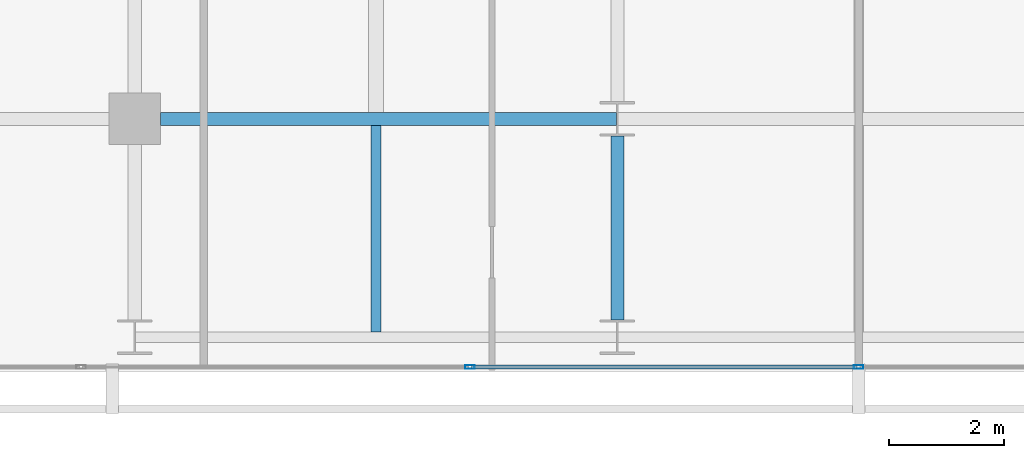
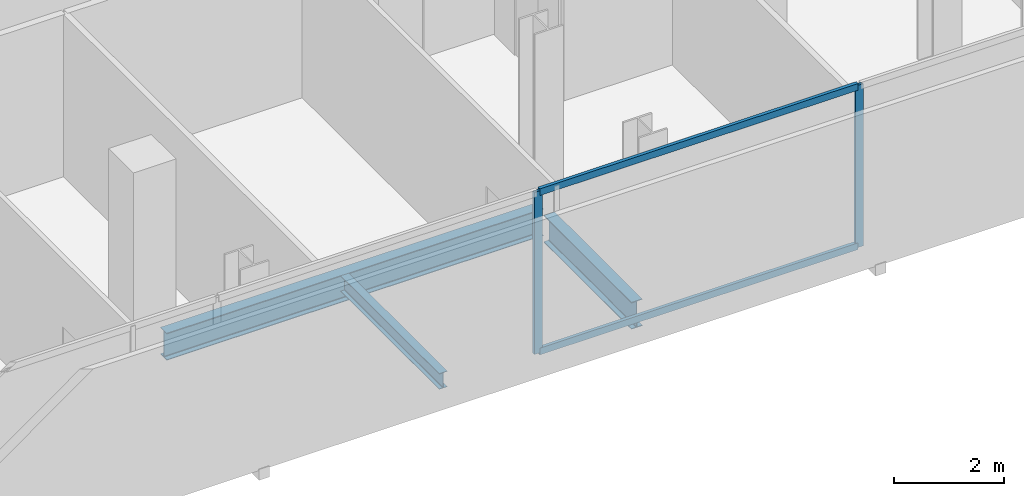
# One storey, part 6 of 34: 4 members, 3 beams, 1 element without a shape of its own.
"""IFC4 building model written with IfcOpenShell, lengths in metres."""

from ifc_helpers import new_model, si_unit, direction, frame, origin, origin_2d, place, context, subcontext, project, spatial, hollow_rectangle, i_section, extrude, material, layer, layer_set, material_profile, profile_set, type_object, element, aggregate, save


model = new_model("IFC4")

# Units and contexts
model_context = context("Model", 3, precision=1e-05, world=origin(), true_north=direction((0.0, 1.0)))
body_context = subcontext(model_context, "Body", "Model", "MODEL_VIEW")
ifc_project = project(units=[si_unit("LENGTHUNIT", "METRE"), si_unit("AREAUNIT", "SQUARE_METRE"), si_unit("VOLUMEUNIT", "CUBIC_METRE"), si_unit("PLANEANGLEUNIT", "RADIAN"), si_unit("MASSUNIT", "GRAM", prefix="KILO")], contexts=[model_context])

# Site, building, storey
site_placement = place(None, origin())
site = spatial("IfcSite", under=ifc_project, at=site_placement, CompositionType="ELEMENT")
building_placement = place(site_placement, origin())
building = spatial("IfcBuilding", under=site, at=building_placement, Name="Maruvema Waterfront Hotel and Observation Tower", CompositionType="ELEMENT")
storey_placement = place(building_placement, frame((0.0, 0.0, 192.85009765625)))
storey = spatial("IfcBuildingStorey", under=building, at=storey_placement, Name="L47", CompositionType="ELEMENT", Elevation=192.85009765625)

# Curtain wall, members
ifc_material_1 = material(Name="Anodised bronze aluminium and solar-control low-E IGU", Category="aluminium")
ifc_layer = layer(ifc_material_1, 0.159912109375, Name="Zone 2 Amber Inner Thermal Curtain Wall System CW-03")
ifc_layer_set = layer_set([ifc_layer], Name="Anodised bronze aluminium and solar-control low-E IGU")
curtain_wall_type = type_object("IfcCurtainWallType", Name="Zone 2 Amber Inner Thermal Curtain Wall System CW-03", PredefinedType="USERDEFINED", material=ifc_layer_set)
curtain_wall_placement = place(storey_placement, origin())
curtain_wall = element("IfcCurtainWall", 1, at=curtain_wall_placement, inside=storey, type_object=curtain_wall_type, Name="L47 Curtain Wall CW-L47-S", ObjectType="UNITISED CURTAIN WALL", PredefinedType="USERDEFINED")
ifc_material_2 = material(Name="Anodised architectural bronze aluminium", Category="aluminium")
ifc_material_profile_1 = material_profile(ifc_material_2, hollow_rectangle(XDim=0.070068359375, YDim=0.14990234375, WallThickness=0.00390625, at=origin_2d()), Name="ALU-T70x150")
ifc_profile_set_1 = profile_set([ifc_material_profile_1], Name="Anodised architectural bronze aluminium")
member_type_1 = type_object("IfcMemberType", Name="Curtain Wall Horizontal Transom ALU-T70x150", PredefinedType="USERDEFINED", material=ifc_profile_set_1)
member_1_placement = place(storey_placement, frame((31.063232421875, 4.679931640625, 0.02978515625), z_axis=(1.0, 0.0, 0.0), x_axis=(0.0, 1.0, 0.0)))
member_1 = element("IfcMember", 2, at=member_1_placement, type_object=member_type_1, Name="CW-03 transom 3.1", ObjectType="TRANSOM", PredefinedType="USERDEFINED", context=body_context, shape_type="SweptSolid", body=[
    extrude(hollow_rectangle(XDim=0.070068359375, YDim=0.14990234375, WallThickness=0.00390625, at=origin_2d()), origin(), (0.0, 0.0, 1.0), 6.706787109375),
])
member_2_placement = place(storey_placement, frame((31.063232421875, 4.679931640625, 3.579833984375), z_axis=(1.0, 0.0, 0.0), x_axis=(0.0, 1.0, 0.0)))
member_2 = element("IfcMember", 3, at=member_2_placement, type_object=member_type_1, Name="CW-03 transom 3.2", ObjectType="TRANSOM", PredefinedType="USERDEFINED", context=body_context, shape_type="SweptSolid", body=[
    extrude(hollow_rectangle(XDim=0.070068359375, YDim=0.14990234375, WallThickness=0.00390625, at=origin_2d()), origin(), (0.0, 0.0, 1.0), 6.706787109375),
])
ifc_material_3 = material(Name="Anodised architectural bronze aluminium", Category="aluminium")
ifc_material_profile_2 = material_profile(ifc_material_3, hollow_rectangle(XDim=0.06494140625, YDim=0.1650390625, WallThickness=0.00390625, at=origin_2d()), Name="ALU-M65x165")
ifc_profile_set_2 = profile_set([ifc_material_profile_2], Name="Anodised architectural bronze aluminium")
member_type_2 = type_object("IfcMemberType", Name="Curtain Wall Primary Mullion ALU-M65x165", PredefinedType="MULLION", material=ifc_profile_set_2)
member_3_placement = place(storey_placement, frame((31.033447265625, 4.679931640625, 0.0), z_axis=(0.0, 0.0, 1.0), x_axis=(0.0, 1.0, 0.0)))
member_3 = element("IfcMember", 4, at=member_3_placement, type_object=member_type_2, Name="CW-03 mullion 3", PredefinedType="MULLION", context=body_context, shape_type="SweptSolid", body=[
    extrude(hollow_rectangle(XDim=0.06494140625, YDim=0.1650390625, WallThickness=0.00390625, at=origin_2d()), origin(), (0.0, 0.0, 1.0), 3.60986328125),
])
member_4_placement = place(storey_placement, frame((37.800048828125, 4.679931640625, 0.0), z_axis=(0.0, 0.0, 1.0), x_axis=(0.0, 1.0, 0.0)))
member_4 = element("IfcMember", 5, at=member_4_placement, type_object=member_type_2, Name="CW-03 mullion 4", PredefinedType="MULLION", context=body_context, shape_type="SweptSolid", body=[
    extrude(hollow_rectangle(XDim=0.06494140625, YDim=0.1650390625, WallThickness=0.00390625, at=origin_2d()), origin(), (0.0, 0.0, 1.0), 3.60986328125),
])
aggregate(curtain_wall, [member_3, member_4, member_1, member_2])

# Beams
ifc_material_4 = material(Name="Steel ASTM A572 Grade 50", Category="steel")
ifc_material_profile_3 = material_profile(ifc_material_4, i_section(OverallWidth=0.22802734375, OverallDepth=0.60302734375, WebThickness=0.010498046875, FlangeThickness=0.014892578125, FilletRadius=0.01806640625, at=origin_2d()), Name="W610x101.0")
ifc_profile_set_3 = profile_set([ifc_material_profile_3], Name="Steel ASTM A572 Grade 50")
beam_type_1 = type_object("IfcBeamType", Name="Primary Floor Girder W610x101.0", PredefinedType="BEAM", material=ifc_profile_set_3)
beam_1_placement = place(storey_placement, frame((25.64990234375, 9.0, -0.54150390625), z_axis=(1.0, 0.0, 0.0), x_axis=(0.0, 1.0, 0.0)))
element("IfcBeam", 6, at=beam_1_placement, inside=storey, type_object=beam_type_1, Name="L47 Floor Girder EW-06", PredefinedType="BEAM", context=body_context, shape_type="SweptSolid", body=[
    extrude(i_section(OverallWidth=0.22802734375, OverallDepth=0.60302734375, WebThickness=0.010498046875, FlangeThickness=0.014892578125, FilletRadius=0.01806640625, at=origin_2d()), origin(), (0.0, 0.0, 1.0), 7.9375),
])
beam_2_placement = place(storey_placement, frame((33.60009765625, 5.5, -0.54150390625), z_axis=(0.0, 1.0, 0.0), x_axis=(-1.0, 0.0, 0.0)))
element("IfcBeam", 7, at=beam_2_placement, inside=storey, type_object=beam_type_1, Name="L47 Floor Girder NS-14", PredefinedType="BEAM", context=body_context, shape_type="SweptSolid", body=[
    extrude(i_section(OverallWidth=0.22802734375, OverallDepth=0.60302734375, WebThickness=0.010498046875, FlangeThickness=0.014892578125, FilletRadius=0.01806640625, at=origin_2d()), origin(), (0.0, 0.0, 1.0), 3.199951171875),
])
ifc_material_5 = material(Name="Steel ASTM A572 Grade 50", Category="steel")
ifc_material_profile_4 = material_profile(ifc_material_5, i_section(OverallWidth=0.1708984375, OverallDepth=0.35498046875, WebThickness=0.007080078125, FlangeThickness=0.01171875, FilletRadius=0.014892578125, at=origin_2d()), Name="W360x51.0")
ifc_profile_set_4 = profile_set([ifc_material_profile_4], Name="Steel ASTM A572 Grade 50")
beam_type_2 = type_object("IfcBeamType", Name="Secondary Floor Joist W360x51.0", PredefinedType="JOIST", material=ifc_profile_set_4)
beam_3_placement = place(storey_placement, frame((29.39990234375, 5.29052734375, -0.41748046875), z_axis=(0.0, 1.0, 0.0), x_axis=(-1.0, 0.0, 0.0)))
element("IfcBeam", 8, at=beam_3_placement, inside=storey, type_object=beam_type_2, Name="L47 Secondary Floor Joist JS-05", PredefinedType="JOIST", context=body_context, shape_type="SweptSolid", body=[
    extrude(i_section(OverallWidth=0.1708984375, OverallDepth=0.35498046875, WebThickness=0.007080078125, FlangeThickness=0.01171875, FilletRadius=0.014892578125, at=origin_2d()), origin(), (0.0, 0.0, 1.0), 3.595458984375),
])

save(model, "model.ifc")
